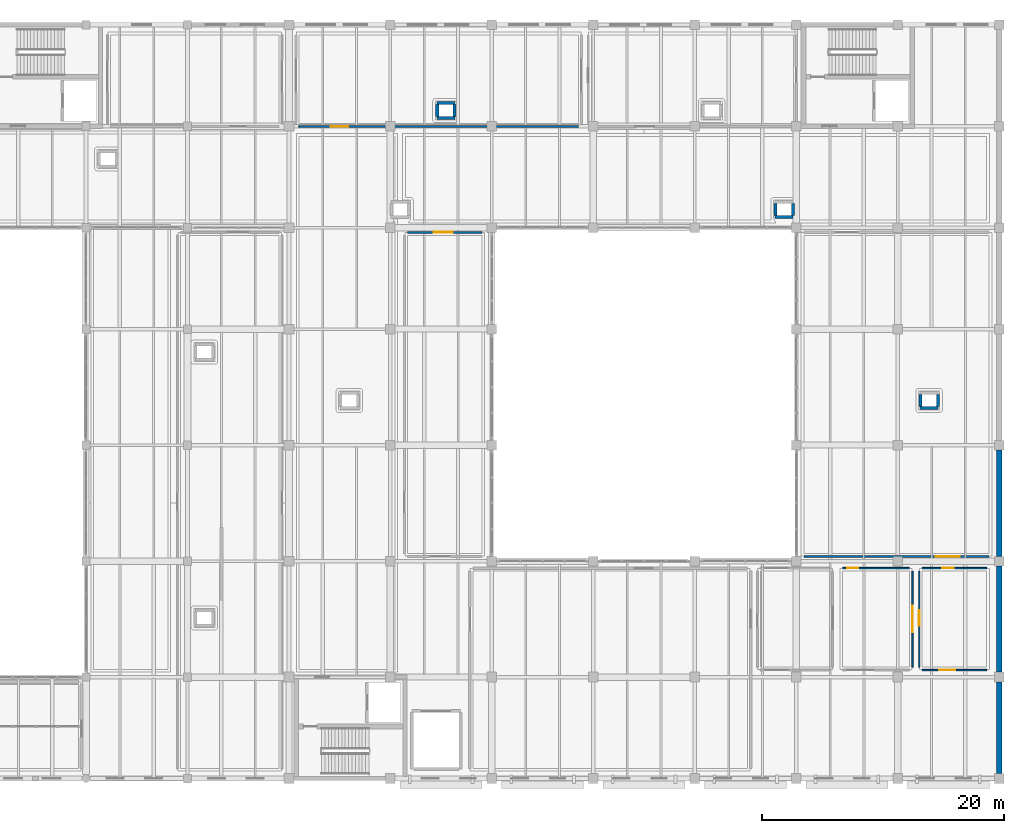
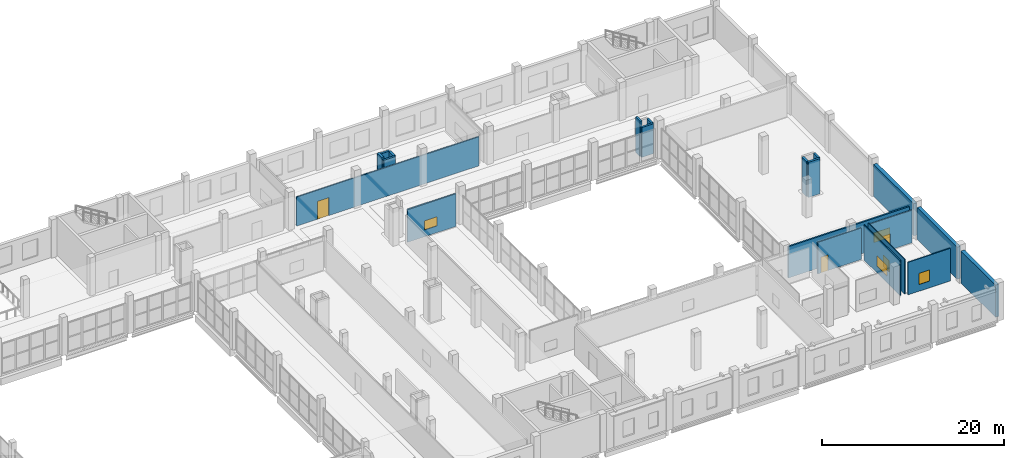
# One storey, part 61 of 73: 21 walls, 5 windows, 3 doors, 8 openings.
"""IFC4 building model written with IfcOpenShell, lengths in metres."""

from ifc_helpers import new_model, si_unit, direction, frame, frame_2d, origin, place, context, subcontext, project, spatial, rectangle, extrude, material, layer, layer_set, type_object, element, fill, save


model = new_model("IFC4")

# Units and contexts
model_context = context("Model", 3, precision=1e-05, world=origin(), true_north=direction((0.0, 1.0)))
body_context = subcontext(model_context, "Body", "Model", "MODEL_VIEW")
ifc_project = project(units=[si_unit("LENGTHUNIT", "METRE"), si_unit("AREAUNIT", "SQUARE_METRE"), si_unit("VOLUMEUNIT", "CUBIC_METRE"), si_unit("PLANEANGLEUNIT", "RADIAN"), si_unit("MASSUNIT", "GRAM", prefix="KILO")], contexts=[model_context])

# Site, building, storey
site_placement = place(None, origin())
site = spatial("IfcSite", under=ifc_project, at=site_placement, CompositionType="ELEMENT")
building_placement = place(site_placement, origin())
building = spatial("IfcBuilding", under=site, at=building_placement, Name="Zulmaris Art Gallery", CompositionType="ELEMENT")
storey_placement = place(building_placement, frame((0.0, 0.0, 10.5)))
storey = spatial("IfcBuildingStorey", under=building, at=storey_placement, Name="L02", CompositionType="ELEMENT", Elevation=10.5)

# Walls
ifc_material_1 = material(Name="Omani Cream Limestone Ashlar Masonry", Category="masonry")
ifc_layer_1 = layer(ifc_material_1, 0.43994140625)
ifc_layer_set_1 = layer_set([ifc_layer_1], Name="Omani Cream Limestone Ashlar Masonry")
wall_type_1 = type_object("IfcWallType", Name="ENV-WALL-EW01", PredefinedType="SOLIDWALL", material=ifc_layer_set_1)
wall_1_placement = place(storey_placement, frame((200.39990234375, 13.60205078125, 0.0), z_axis=(0.0, 0.0, 1.0), x_axis=(0.0, 1.0, 0.0)))
element("IfcWall", 1, at=wall_1_placement, inside=storey, type_object=wall_type_1, Name="L02 V5 East Infill Party Wall", PredefinedType="SOLIDWALL", context=body_context, shape_type="SweptSolid", body=[
    extrude(rectangle(XDim=7.595947265625, YDim=0.43994140625, at=frame_2d((3.7978515625, 0.0))), origin(), (0.0, 0.0, 1.0), 4.300048828125),
])
wall_2_placement = place(storey_placement, frame((200.39990234375, 22.001953125, 0.0), z_axis=(0.0, 0.0, 1.0), x_axis=(0.0, 1.0, 0.0)))
element("IfcWall", 2, at=wall_2_placement, inside=storey, type_object=wall_type_1, Name="L02 V5 East Infill Party Wall", PredefinedType="SOLIDWALL", context=body_context, shape_type="SweptSolid", body=[
    extrude(rectangle(XDim=8.796142578125, YDim=0.43994140625, at=frame_2d((4.39794921875, 0.0))), origin(), (0.0, 0.0, 1.0), 4.300048828125),
])
wall_3_placement = place(storey_placement, frame((200.39990234375, 31.60205078125, 0.0), z_axis=(0.0, 0.0, 1.0), x_axis=(0.0, 1.0, 0.0)))
element("IfcWall", 3, at=wall_3_placement, inside=storey, type_object=wall_type_1, Name="L02 V5 East Infill Party Wall", PredefinedType="SOLIDWALL", context=body_context, shape_type="SweptSolid", body=[
    extrude(rectangle(XDim=8.7958984375, YDim=0.43994140625, at=frame_2d((4.39794921875, 0.0))), origin(), (0.0, 0.0, 1.0), 4.300048828125),
])

# Wall, opening, door
ifc_material_2 = material(Name="Moisture-Resistant Tile-Backer Wet Wall", Category="gypsum")
ifc_layer_2 = layer(ifc_material_2, 0.114990234375)
ifc_layer_set_2 = layer_set([ifc_layer_2], Name="Moisture-Resistant Tile-Backer Wet Wall")
wall_type_2 = type_object("IfcWallType", Name="IWALL-PW02", PredefinedType="PARTITIONING", material=ifc_layer_set_2)
wall_4_placement = place(storey_placement, frame((187.429931640625, 30.6201171875, 0.0), z_axis=(0.0, 0.0, 1.0), x_axis=(1.0, 0.0, 0.0)))
wall_4 = element("IfcWall", 4, at=wall_4_placement, inside=storey, type_object=wall_type_2, Name="Level 02 Female WC N partition", PredefinedType="PARTITIONING", context=body_context, shape_type="SweptSolid", body=[
    extrude(rectangle(XDim=5.5400390625, YDim=0.114990234375, at=frame_2d((2.77001953125, 0.0))), origin(), (0.0, 0.0, 1.0), 4.22998046875),
])
opening_1_placement = place(wall_4_placement, frame((0.39990234375, 0.0, 0.0)))
opening_1 = element("IfcOpeningElement", 5, at=opening_1_placement, cuts=wall_4, Name="Opening D01", PredefinedType="OPENING", context=body_context, shape_type="SweptSolid", body=[
    extrude(rectangle(XDim=0.89990234375, YDim=2.10009765625, at=frame_2d((0.449951171875, 1.050048828125))), frame((0.0, 0.0673828125, 0.0), z_axis=(0.0, -1.0, 0.0), x_axis=(1.0, 0.0, 0.0)), (0.0, 0.0, 1.0), 0.135009765625),
])
ifc_material_3 = material(Name="Moisture-Resistant WC Door", Category="timber")
door_type_1 = type_object("IfcDoorType", Name="IDOOR-D01", OperationType="NOTDEFINED", PredefinedType="DOOR", material=ifc_material_3)
door_1_placement = place(opening_1_placement, origin())
door_1 = element("IfcDoor", 6, at=door_1_placement, inside=storey, type_object=door_type_1, Name="Level 02 Female WC Door", OperationType="SINGLE_SWING_LEFT", OverallHeight=2.10009765625, OverallWidth=0.89990234375, PredefinedType="DOOR", context=body_context, shape_type="SweptSolid", body=[
    extrude(rectangle(XDim=0.89990234375, YDim=2.10009765625, at=frame_2d((0.449951171875, 1.050048828125))), frame((0.0, 0.02490234375, 0.0), z_axis=(0.0, -1.0, 0.0), x_axis=(1.0, 0.0, 0.0)), (0.0, 0.0, 1.0), 0.050048828125),
])
fill(opening_1, door_1)

# Wall, opening, window
wall_5_placement = place(storey_placement, frame((193.219970703125, 22.429931640625, 0.0), z_axis=(0.0, 0.0, 1.0), x_axis=(0.0, 1.0, 0.0)))
wall_5 = element("IfcWall", 7, at=wall_5_placement, inside=storey, type_object=wall_type_2, Name="Level 02 Female WC E partition", PredefinedType="PARTITIONING", context=body_context, shape_type="SweptSolid", body=[
    extrude(rectangle(XDim=7.940185546875, YDim=0.114990234375, at=frame_2d((3.97021484375, 0.0))), origin(), (0.0, 0.0, 1.0), 4.719970703125),
])
opening_2_placement = place(wall_5_placement, frame((2.89990234375, 0.0, 0.89990234375)))
opening_2 = element("IfcOpeningElement", 8, at=opening_2_placement, cuts=wall_5, Name="Opening IW03", PredefinedType="OPENING", context=body_context, shape_type="SweptSolid", body=[
    extrude(rectangle(XDim=2.159912109375, YDim=1.419921875, at=frame_2d((1.080078125, 0.7099609375))), frame((0.0, 0.0673828125, 0.0), z_axis=(0.0, -1.0, 0.0), x_axis=(1.0, 0.0, 0.0)), (0.0, 0.0, 1.0), 0.135009765625),
])
ifc_material_4 = material(Name="Analytical Lab Observation Window", Category="glass")
window_type_1 = type_object("IfcWindowType", Name="IWIN-IW03", PartitioningType="SINGLE_PANEL", PredefinedType="WINDOW", material=ifc_material_4)
window_1_placement = place(opening_2_placement, origin())
window_1 = element("IfcWindow", 9, at=window_1_placement, inside=storey, type_object=window_type_1, Name="L02 interior observation window IW03", OverallHeight=1.419921875, OverallWidth=2.159912109375, PartitioningType="SINGLE_PANEL", PredefinedType="WINDOW", context=body_context, shape_type="SweptSolid", body=[
    extrude(rectangle(XDim=2.159912109375, YDim=1.419921875, at=frame_2d((1.080078125, 0.7099609375))), frame((0.0, 0.030029296875, 0.0), z_axis=(0.0, -1.0, 0.0), x_axis=(1.0, 0.0, 0.0)), (0.0, 0.0, 1.0), 0.06005859375),
])
fill(opening_2, window_1)

# Wall, opening, door
wall_6_placement = place(storey_placement, frame((194.030029296875, 30.6201171875, 0.0), z_axis=(0.0, 0.0, 1.0), x_axis=(1.0, 0.0, 0.0)))
wall_6 = element("IfcWall", 10, at=wall_6_placement, inside=storey, type_object=wall_type_2, Name="Level 02 Accessible WC N partition", PredefinedType="PARTITIONING", context=body_context, shape_type="SweptSolid", body=[
    extrude(rectangle(XDim=5.340087890625, YDim=0.114990234375, at=frame_2d((2.669921875, 0.0))), origin(), (0.0, 0.0, 1.0), 4.3701171875),
])
opening_3_placement = place(wall_6_placement, frame((1.64990234375, 0.0, 0.0)))
opening_3 = element("IfcOpeningElement", 11, at=opening_3_placement, cuts=wall_6, Name="Opening D02", PredefinedType="OPENING", context=body_context, shape_type="SweptSolid", body=[
    extrude(rectangle(XDim=0.9599609375, YDim=2.139892578125, at=frame_2d((0.47998046875, 1.06982421875))), frame((0.0, 0.0673828125, 0.0), z_axis=(0.0, -1.0, 0.0), x_axis=(1.0, 0.0, 0.0)), (0.0, 0.0, 1.0), 0.135009765625),
])
ifc_material_5 = material(Name="Accessible WC Outward-Opening Door", Category="timber")
door_type_2 = type_object("IfcDoorType", Name="IDOOR-D02", OperationType="NOTDEFINED", PredefinedType="DOOR", material=ifc_material_5)
door_2_placement = place(opening_3_placement, origin())
door_2 = element("IfcDoor", 12, at=door_2_placement, inside=storey, type_object=door_type_2, Name="Level 02 Accessible WC Door", OperationType="SINGLE_SWING_RIGHT", OverallHeight=2.139892578125, OverallWidth=0.9599609375, PredefinedType="DOOR", context=body_context, shape_type="SweptSolid", body=[
    extrude(rectangle(XDim=0.9599609375, YDim=2.139892578125, at=frame_2d((0.47998046875, 1.06982421875))), frame((0.0, 0.02490234375, 0.0), z_axis=(0.0, -1.0, 0.0), x_axis=(1.0, 0.0, 0.0)), (0.0, 0.0, 1.0), 0.050048828125),
])
fill(opening_3, door_2)

# Wall, opening, window
wall_7_placement = place(storey_placement, frame((194.030029296875, 22.179931640625, 0.0), z_axis=(0.0, 0.0, 1.0), x_axis=(1.0, 0.0, 0.0)))
wall_7 = element("IfcWall", 13, at=wall_7_placement, inside=storey, type_object=wall_type_2, Name="Level 02 Accessible WC S partition", PredefinedType="PARTITIONING", context=body_context, shape_type="SweptSolid", body=[
    extrude(rectangle(XDim=5.340087890625, YDim=0.114990234375, at=frame_2d((2.669921875, 0.0))), origin(), (0.0, 0.0, 1.0), 4.3701171875),
])
opening_4_placement = place(wall_7_placement, frame((1.39990234375, 0.0, 0.89990234375)))
opening_4 = element("IfcOpeningElement", 14, at=opening_4_placement, cuts=wall_7, Name="Opening IW04", PredefinedType="OPENING", context=body_context, shape_type="SweptSolid", body=[
    extrude(rectangle(XDim=1.320068359375, YDim=1.5, at=frame_2d((0.66015625, 0.75))), frame((0.0, 0.0673828125, 0.0), z_axis=(0.0, -1.0, 0.0), x_axis=(1.0, 0.0, 0.0)), (0.0, 0.0, 1.0), 0.135009765625),
])
ifc_material_6 = material(Name="Curatorial Study Vitrine Window", Category="glass")
window_type_2 = type_object("IfcWindowType", Name="IWIN-IW04", PartitioningType="SINGLE_PANEL", PredefinedType="WINDOW", material=ifc_material_6)
window_2_placement = place(opening_4_placement, origin())
window_2 = element("IfcWindow", 15, at=window_2_placement, inside=storey, type_object=window_type_2, Name="L02 interior observation window IW04", OverallHeight=1.5, OverallWidth=1.320068359375, PartitioningType="SINGLE_PANEL", PredefinedType="WINDOW", context=body_context, shape_type="SweptSolid", body=[
    extrude(rectangle(XDim=1.320068359375, YDim=1.5, at=frame_2d((0.66015625, 0.75))), frame((0.0, 0.030029296875, 0.0), z_axis=(0.0, -1.0, 0.0), x_axis=(1.0, 0.0, 0.0)), (0.0, 0.0, 1.0), 0.06005859375),
])
fill(opening_4, window_2)

wall_8_placement = place(storey_placement, frame((193.780029296875, 22.429931640625, 0.0), z_axis=(0.0, 0.0, 1.0), x_axis=(0.0, 1.0, 0.0)))
wall_8 = element("IfcWall", 16, at=wall_8_placement, inside=storey, type_object=wall_type_2, Name="Level 02 Accessible WC W partition", PredefinedType="PARTITIONING", context=body_context, shape_type="SweptSolid", body=[
    extrude(rectangle(XDim=7.940185546875, YDim=0.114990234375, at=frame_2d((3.97021484375, 0.0))), origin(), (0.0, 0.0, 1.0), 4.719970703125),
])
opening_5_placement = place(wall_8_placement, frame((3.39990234375, 0.0, 0.89990234375)))
opening_5 = element("IfcOpeningElement", 17, at=opening_5_placement, cuts=wall_8, Name="Opening IW04", PredefinedType="OPENING", context=body_context, shape_type="SweptSolid", body=[
    extrude(rectangle(XDim=1.320068359375, YDim=1.5, at=frame_2d((0.66015625, 0.75))), frame((0.0, 0.0673828125, 0.0), z_axis=(0.0, -1.0, 0.0), x_axis=(1.0, 0.0, 0.0)), (0.0, 0.0, 1.0), 0.135009765625),
])
window_3_placement = place(opening_5_placement, origin())
window_3 = element("IfcWindow", 18, at=window_3_placement, inside=storey, type_object=window_type_2, Name="L02 interior observation window IW04", OverallHeight=1.5, OverallWidth=1.320068359375, PartitioningType="SINGLE_PANEL", PredefinedType="WINDOW", context=body_context, shape_type="SweptSolid", body=[
    extrude(rectangle(XDim=1.320068359375, YDim=1.5, at=frame_2d((0.66015625, 0.75))), frame((0.0, 0.030029296875, 0.0), z_axis=(0.0, -1.0, 0.0), x_axis=(1.0, 0.0, 0.0)), (0.0, 0.0, 1.0), 0.06005859375),
])
fill(opening_5, window_3)

# Wall, opening, door
ifc_material_7 = material(Name="Plywood-Backed Gallery Hanging Partition", Category="wood")
ifc_layer_3 = layer(ifc_material_7, 0.14501953125)
ifc_layer_set_3 = layer_set([ifc_layer_3], Name="Plywood-Backed Gallery Hanging Partition")
wall_type_3 = type_object("IfcWallType", Name="IWALL-PW04", PredefinedType="PARTITIONING", material=ifc_layer_set_3)
wall_9_placement = place(storey_placement, frame((142.429931640625, 67.179931640625, 0.0), z_axis=(0.0, 0.0, 1.0), x_axis=(1.0, 0.0, 0.0)))
wall_9 = element("IfcWall", 19, at=wall_9_placement, inside=storey, type_object=wall_type_3, Name="Painting Conservation Studio S partition", PredefinedType="PARTITIONING", context=body_context, shape_type="SweptSolid", body=[
    extrude(rectangle(XDim=23.14013671875, YDim=0.14501953125, at=frame_2d((11.570068359375, 0.0))), origin(), (0.0, 0.0, 1.0), 3.89990234375),
])
opening_6_placement = place(wall_9_placement, frame((2.64990234375, 0.0, 0.0)))
opening_6 = element("IfcOpeningElement", 20, at=opening_6_placement, cuts=wall_9, Name="Opening D12", PredefinedType="OPENING", context=body_context, shape_type="SweptSolid", body=[
    extrude(rectangle(XDim=1.419921875, YDim=2.39990234375, at=frame_2d((0.7099609375, 1.199951171875))), frame((0.0, 0.08251953125, 0.0), z_axis=(0.0, -1.0, 0.0), x_axis=(1.0, 0.0, 0.0)), (0.0, 0.0, 1.0), 0.1650390625),
])
ifc_material_8 = material(Name="Gallery Single Curatorial Door", Category="timber")
door_type_3 = type_object("IfcDoorType", Name="IDOOR-D12", OperationType="NOTDEFINED", PredefinedType="DOOR", material=ifc_material_8)
door_3_placement = place(opening_6_placement, origin())
door_3 = element("IfcDoor", 21, at=door_3_placement, inside=storey, type_object=door_type_3, Name="Painting Conservation Studio Door", OperationType="SINGLE_SWING_LEFT", OverallHeight=2.39990234375, OverallWidth=1.419921875, PredefinedType="DOOR", context=body_context, shape_type="SweptSolid", body=[
    extrude(rectangle(XDim=1.419921875, YDim=2.39990234375, at=frame_2d((0.7099609375, 1.199951171875))), frame((0.0, 0.02490234375, 0.0), z_axis=(0.0, -1.0, 0.0), x_axis=(1.0, 0.0, 0.0)), (0.0, 0.0, 1.0), 0.050048828125),
])
fill(opening_6, door_3)

# Wall, opening, window
ifc_material_9 = material(Name="Acoustic Studio Separation Partition", Category="gypsum")
ifc_layer_4 = layer(ifc_material_9, 0.175048828125)
ifc_layer_set_4 = layer_set([ifc_layer_4], Name="Acoustic Studio Separation Partition")
wall_type_4 = type_object("IfcWallType", Name="IWALL-PW06", PredefinedType="PARTITIONING", material=ifc_layer_set_4)
wall_10_placement = place(storey_placement, frame((151.429931640625, 58.419921875, 0.0), z_axis=(0.0, 0.0, 1.0), x_axis=(1.0, 0.0, 0.0)))
wall_10 = element("IfcWall", 22, at=wall_10_placement, inside=storey, type_object=wall_type_4, Name="Conservation Framing & Gilding Studio N partition", PredefinedType="PARTITIONING", context=body_context, shape_type="SweptSolid", body=[
    extrude(rectangle(XDim=6.14013671875, YDim=0.175048828125, at=frame_2d((3.070068359375, 0.0))), origin(), (0.0, 0.0, 1.0), 4.3701171875),
])
opening_7_placement = place(wall_10_placement, frame((2.14990234375, 0.0, 0.89990234375)))
opening_7 = element("IfcOpeningElement", 23, at=opening_7_placement, cuts=wall_10, Name="Opening IW09", PredefinedType="OPENING", context=body_context, shape_type="SweptSolid", body=[
    extrude(rectangle(XDim=1.580078125, YDim=1.239990234375, at=frame_2d((0.7900390625, 0.6201171875))), frame((0.0, 0.097412109375, 0.0), z_axis=(0.0, -1.0, 0.0), x_axis=(1.0, 0.0, 0.0)), (0.0, 0.0, 1.0), 0.195068359375),
])
ifc_material_10 = material(Name="Registrar Inspection Glazing", Category="glass")
window_type_3 = type_object("IfcWindowType", Name="IWIN-IW09", PartitioningType="SINGLE_PANEL", PredefinedType="WINDOW", material=ifc_material_10)
window_4_placement = place(opening_7_placement, origin())
window_4 = element("IfcWindow", 24, at=window_4_placement, inside=storey, type_object=window_type_3, Name="L02 interior observation window IW09", OverallHeight=1.239990234375, OverallWidth=1.580078125, PartitioningType="SINGLE_PANEL", PredefinedType="WINDOW", context=body_context, shape_type="SweptSolid", body=[
    extrude(rectangle(XDim=1.580078125, YDim=1.239990234375, at=frame_2d((0.7900390625, 0.6201171875))), frame((0.0, 0.030029296875, 0.0), z_axis=(0.0, -1.0, 0.0), x_axis=(1.0, 0.0, 0.0)), (0.0, 0.0, 1.0), 0.06005859375),
])
fill(opening_7, window_4)

ifc_material_11 = material(Name="Conservation Laboratory Partition", Category="masonry")
ifc_layer_5 = layer(ifc_material_11, 0.18994140625)
ifc_layer_set_5 = layer_set([ifc_layer_5], Name="Conservation Laboratory Partition")
wall_type_5 = type_object("IfcWallType", Name="IWALL-PW07", PredefinedType="PARTITIONING", material=ifc_layer_set_5)
wall_11_placement = place(storey_placement, frame((184.22998046875, 31.580078125, 0.0), z_axis=(0.0, 0.0, 1.0), x_axis=(1.0, 0.0, 0.0)))
wall_11 = element("IfcWall", 25, at=wall_11_placement, inside=storey, type_object=wall_type_5, Name="Preventive Conservation & Pest Lab S partition", PredefinedType="PARTITIONING", context=body_context, shape_type="SweptSolid", body=[
    extrude(rectangle(XDim=15.340087890625, YDim=0.18994140625, at=frame_2d((7.669921875, 0.0))), origin(), (0.0, 0.0, 1.0), 4.2099609375),
])
opening_8_placement = place(wall_11_placement, frame((10.89990234375, 0.0, 0.89990234375)))
opening_8 = element("IfcOpeningElement", 26, at=opening_8_placement, cuts=wall_11, Name="Opening IW10", PredefinedType="OPENING", context=body_context, shape_type="SweptSolid", body=[
    extrude(rectangle(XDim=2.02001953125, YDim=1.320068359375, at=frame_2d((1.010009765625, 0.66015625))), frame((0.0, 0.10498046875, 0.0), z_axis=(0.0, -1.0, 0.0), x_axis=(1.0, 0.0, 0.0)), (0.0, 0.0, 1.0), 0.2099609375),
])
ifc_material_12 = material(Name="Seminar Acoustic Viewing Window", Category="glass")
window_type_4 = type_object("IfcWindowType", Name="IWIN-IW10", PartitioningType="SINGLE_PANEL", PredefinedType="WINDOW", material=ifc_material_12)
window_5_placement = place(opening_8_placement, origin())
window_5 = element("IfcWindow", 27, at=window_5_placement, inside=storey, type_object=window_type_4, Name="L02 interior observation window IW10", OverallHeight=1.320068359375, OverallWidth=2.02001953125, PartitioningType="SINGLE_PANEL", PredefinedType="WINDOW", context=body_context, shape_type="SweptSolid", body=[
    extrude(rectangle(XDim=2.02001953125, YDim=1.320068359375, at=frame_2d((1.010009765625, 0.66015625))), frame((0.0, 0.030029296875, 0.0), z_axis=(0.0, -1.0, 0.0), x_axis=(1.0, 0.0, 0.0)), (0.0, 0.0, 1.0), 0.06005859375),
])
fill(opening_8, window_5)

# Walls
ifc_material_13 = material(Name="MEP Riser & Smoke Shaft Enclosure Wall", Category="masonry")
ifc_layer_6 = layer(ifc_material_13, 0.2548828125)
ifc_layer_set_6 = layer_set([ifc_layer_6], Name="MEP Riser & Smoke Shaft Enclosure Wall")
wall_type_6 = type_object("IfcWallType", Name="IWALL-PW11", PredefinedType="PARTITIONING", material=ifc_layer_set_6)
wall_12_placement = place(storey_placement, frame((181.860107421875, 59.679931640625, 0.0), z_axis=(0.0, 0.0, 1.0), x_axis=(1.0, 0.0, 0.0)))
element("IfcWall", 28, at=wall_12_placement, inside=storey, type_object=wall_type_6, Name="L02 MEP Riser 14 S wall", PredefinedType="PARTITIONING", context=body_context, shape_type="SweptSolid", body=[
    extrude(rectangle(XDim=1.47998046875, YDim=0.2548828125, at=frame_2d((0.739990234375, 0.0))), origin(), (0.0, 0.0, 1.0), 4.0),
])
wall_13_placement = place(storey_placement, frame((181.8798828125, 59.800048828125, 0.0), z_axis=(0.0, 0.0, 1.0), x_axis=(0.0, 1.0, 0.0)))
element("IfcWall", 29, at=wall_13_placement, inside=storey, type_object=wall_type_6, Name="L02 MEP Riser 14 W wall", PredefinedType="PARTITIONING", context=body_context, shape_type="SweptSolid", body=[
    extrude(rectangle(XDim=1.0, YDim=0.2548828125, at=frame_2d((0.5, 0.0))), origin(), (0.0, 0.0, 1.0), 4.719970703125),
])
wall_14_placement = place(storey_placement, frame((183.320068359375, 59.800048828125, 0.0), z_axis=(0.0, 0.0, 1.0), x_axis=(0.0, 1.0, 0.0)))
element("IfcWall", 30, at=wall_14_placement, inside=storey, type_object=wall_type_6, Name="L02 MEP Riser 14 E wall", PredefinedType="PARTITIONING", context=body_context, shape_type="SweptSolid", body=[
    extrude(rectangle(XDim=1.0, YDim=0.2548828125, at=frame_2d((0.5, 0.0))), origin(), (0.0, 0.0, 1.0), 4.0),
])
for number, where, z_axis, x_axis, name in (
    (31, (153.860107421875, 69.1201171875, 0.0), (0.0, 0.0, 1.0), (1.0, 0.0, 0.0), "L02 MEP Riser 15 N wall"),
    (32, (153.860107421875, 67.8798828125, 0.0), (0.0, 0.0, 1.0), (1.0, 0.0, 0.0), "L02 MEP Riser 15 S wall"),
):
    element("IfcWall", number, at=place(storey_placement, frame(where, z_axis=z_axis, x_axis=x_axis)), inside=storey, type_object=wall_type_6, Name=name, PredefinedType="PARTITIONING", context=body_context, shape_type="SweptSolid", body=[
        extrude(rectangle(XDim=1.47998046875, YDim=0.2548828125, at=frame_2d((0.739990234375, 0.0))), origin(), (0.0, 0.0, 1.0), 4.429931640625),
    ])
wall_15_placement = place(storey_placement, frame((153.8798828125, 68.0, 0.0), z_axis=(0.0, 0.0, 1.0), x_axis=(0.0, 1.0, 0.0)))
element("IfcWall", 33, at=wall_15_placement, inside=storey, type_object=wall_type_6, Name="L02 MEP Riser 15 W wall", PredefinedType="PARTITIONING", context=body_context, shape_type="SweptSolid", body=[
    extrude(rectangle(XDim=1.0, YDim=0.2548828125, at=frame_2d((0.5, 0.0))), origin(), (0.0, 0.0, 1.0), 4.719970703125),
])
wall_16_placement = place(storey_placement, frame((155.320068359375, 68.0, 0.0), z_axis=(0.0, 0.0, 1.0), x_axis=(0.0, 1.0, 0.0)))
element("IfcWall", 34, at=wall_16_placement, inside=storey, type_object=wall_type_6, Name="L02 MEP Riser 15 E wall", PredefinedType="PARTITIONING", context=body_context, shape_type="SweptSolid", body=[
    extrude(rectangle(XDim=1.0, YDim=0.2548828125, at=frame_2d((0.5, 0.0))), origin(), (0.0, 0.0, 1.0), 4.429931640625),
])
wall_17_placement = place(storey_placement, frame((193.860107421875, 43.8798828125, 0.0), z_axis=(0.0, 0.0, 1.0), x_axis=(1.0, 0.0, 0.0)))
element("IfcWall", 35, at=wall_17_placement, inside=storey, type_object=wall_type_6, Name="L02 MEP Riser 18 S wall", PredefinedType="PARTITIONING", context=body_context, shape_type="SweptSolid", body=[
    extrude(rectangle(XDim=1.47998046875, YDim=0.2548828125, at=frame_2d((0.739990234375, 0.0))), origin(), (0.0, 0.0, 1.0), 4.719970703125),
])
for number, where, z_axis, x_axis, name in (
    (36, (193.8798828125, 44.0, 0.0), (0.0, 0.0, 1.0), (0.0, 1.0, 0.0), "L02 MEP Riser 18 W wall"),
    (37, (195.320068359375, 44.0, 0.0), (0.0, 0.0, 1.0), (0.0, 1.0, 0.0), "L02 MEP Riser 18 E wall"),
):
    element("IfcWall", number, at=place(storey_placement, frame(where, z_axis=z_axis, x_axis=x_axis)), inside=storey, type_object=wall_type_6, Name=name, PredefinedType="PARTITIONING", context=body_context, shape_type="SweptSolid", body=[
        extrude(rectangle(XDim=1.0, YDim=0.2548828125, at=frame_2d((0.5, 0.0))), origin(), (0.0, 0.0, 1.0), 4.719970703125),
    ])

save(model, "model.ifc")
